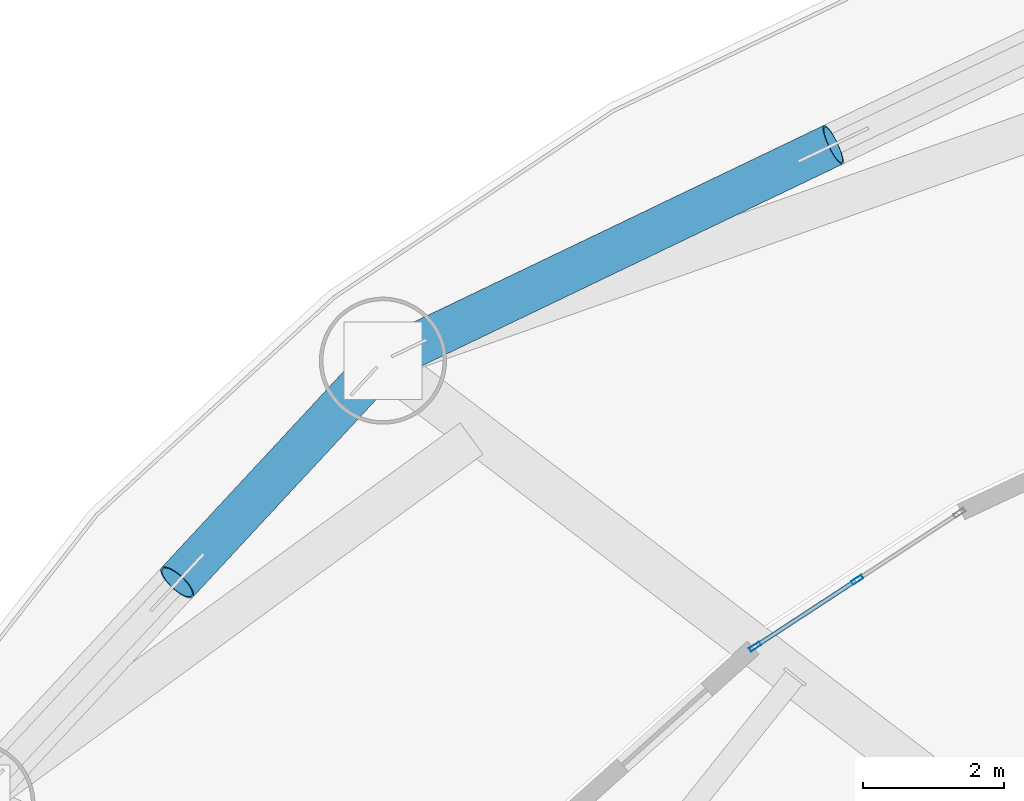
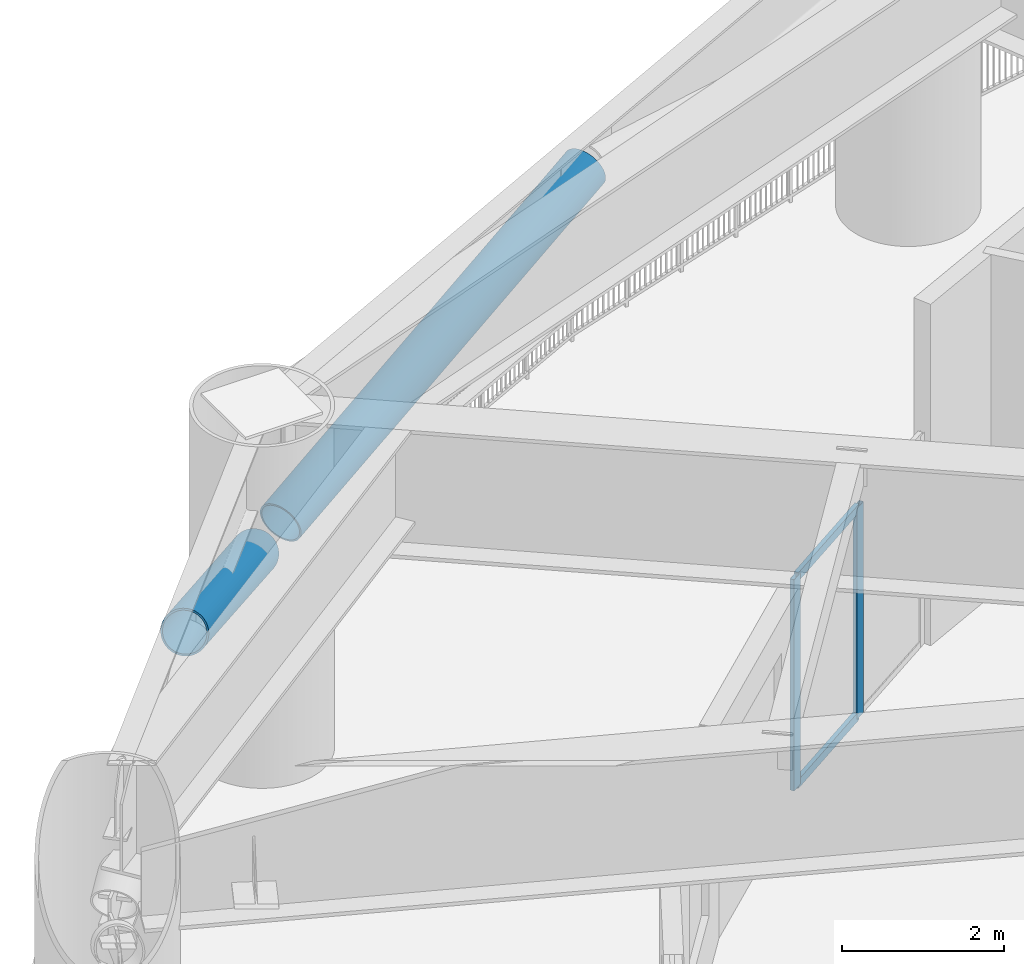
# One storey, part 10 of 39: 6 members, 1 element without a shape of its own.
"""IFC4 building model written with IfcOpenShell, lengths in metres."""

from ifc_helpers import new_model, si_unit, direction, frame, origin, origin_2d, place, context, subcontext, project, spatial, hollow_rectangle, hollow_circle, extrude, source, transform, mapped, material, layer, layer_set, material_profile, profile_set, type_object, element, aggregate, save


model = new_model("IFC4")

# Units and contexts
model_context = context("Model", 3, precision=1e-05, world=origin(), true_north=direction((0.0, 1.0)))
body_context = subcontext(model_context, "Body", "Model", "MODEL_VIEW")
ifc_project = project(units=[si_unit("LENGTHUNIT", "METRE"), si_unit("AREAUNIT", "SQUARE_METRE"), si_unit("VOLUMEUNIT", "CUBIC_METRE"), si_unit("PLANEANGLEUNIT", "RADIAN"), si_unit("MASSUNIT", "GRAM", prefix="KILO")], contexts=[model_context])

# Site, building, storey
site_placement = place(None, origin())
site = spatial("IfcSite", under=ifc_project, at=site_placement, CompositionType="ELEMENT")
building_placement = place(site_placement, origin())
building = spatial("IfcBuilding", under=site, at=building_placement, Name="Linh Dai School and Residence Tower", CompositionType="ELEMENT")
storey_placement = place(building_placement, frame((0.0, 0.0, 27.0)))
storey = spatial("IfcBuildingStorey", under=building, at=storey_placement, Name="L06", CompositionType="ELEMENT", Elevation=27.0)

# Members
ifc_material_1 = material(Name="Structural Steel S355JR", Category="steel")
ifc_material_profile_1 = material_profile(ifc_material_1, hollow_circle(Radius=0.304931640625, WallThickness=0.02490234375, at=origin_2d()), Name="CHS 610x25")
ifc_profile_set_1 = profile_set([ifc_material_profile_1], Name="Structural Steel S355JR")
member_type_1 = type_object("IfcMemberType", Name="MBR-BT1", PredefinedType="BRACE", material=ifc_profile_set_1)
member_1_placement = place(storey_placement, frame((13.6640625, 44.57763671875, 3.142578125), z_axis=(0.879480886263, 0.42169192852, 0.220656493489), x_axis=(-0.432348637717, 0.901706524022, 0.0)))
element("IfcMember", 1, at=member_1_placement, inside=storey, type_object=member_type_1, Name="L06 Ring Belt Truss BT1 Diagonal 06B", PredefinedType="BRACE", context=body_context, shape_type="SweptSolid", body=[
    extrude(hollow_circle(Radius=0.304931640625, WallThickness=0.02490234375, at=origin_2d()), origin(), (0.0, 0.0, 1.0), 6.8310546875),
])
member_2_placement = place(storey_placement, frame((13.027099609375, 44.1123046875, 3.197021484375), z_axis=(-0.637321110526, -0.686590030325, 0.349879882725), x_axis=(0.73291418611, -0.68032109757, 0.0)))
element("IfcMember", 2, at=member_2_placement, inside=storey, type_object=member_type_1, Name="L06 Ring Belt Truss BT1 Diagonal 07A", PredefinedType="BRACE", context=body_context, shape_type="SweptSolid", body=[
    extrude(hollow_circle(Radius=0.304931640625, WallThickness=0.02490234375, at=origin_2d()), origin(), (0.0, 0.0, 1.0), 4.152587890625),
])

# Curtain wall, members
ifc_material_2 = material(Name="Aluminium Anodised Curtain Wall", Category="aluminium")
ifc_layer = layer(ifc_material_2, 0.169921875)
ifc_layer_set = layer_set([ifc_layer], Name="Aluminium Anodised Curtain Wall")
curtain_wall_type = type_object("IfcCurtainWallType", Name="CW-SYS-2", PredefinedType="USERDEFINED", material=ifc_layer_set)
curtain_wall_placement = place(storey_placement, origin())
curtain_wall = element("IfcCurtainWall", 3, at=curtain_wall_placement, inside=storey, type_object=curtain_wall_type, Name="L06 CW2 Curtain Wall 15", ObjectType="UNITISED CURTAIN WALL", PredefinedType="USERDEFINED")
ifc_material_3 = material(Name="Aluminium Alloy 6063-T6", Category="aluminium")
ifc_material_profile_2 = material_profile(ifc_material_3, hollow_rectangle(XDim=0.06005859375, YDim=0.169921875, WallThickness=0.00390625, at=origin_2d()), Name="RHS 170x60x4")
ifc_profile_set_2 = profile_set([ifc_material_profile_2], Name="Aluminium Alloy 6063-T6")
member_type_2 = type_object("IfcMemberType", Name="CW-SYS-2-MUL", PredefinedType="MULLION", material=ifc_profile_set_2)
shared_shape_1 = source(origin(), body_context, "Body", "SweptSolid", [
    extrude(hollow_rectangle(XDim=0.06005859375, YDim=0.169921875, WallThickness=0.00390625, at=origin_2d()), origin(), (0.0, 0.0, 1.0), 3.18505859375),
])
member_3_placement = place(storey_placement, frame((18.56494140625, 40.352294921875, 0.0), z_axis=(0.0, 0.0, 1.0), x_axis=(-0.547530007395, 0.836786048523, 0.0)))
member_3 = element("IfcMember", 4, at=member_3_placement, type_object=member_type_2, Name="CW2 mullion 1", PredefinedType="MULLION", context=body_context, shape_type="MappedRepresentation", body=[
    mapped(shared_shape_1, transform((0.0, 0.0, 0.0), x_axis=(1.0, 0.0, 0.0), y_axis=(0.0, 1.0, 0.0), z_axis=(0.0, 0.0, 1.0), scale=1.0)),
])
member_4_placement = place(storey_placement, frame((20.01171875, 41.298828125, 0.0), z_axis=(0.0, 0.0, 1.0), x_axis=(-0.547530007395, 0.836786048523, 0.0)))
member_4 = element("IfcMember", 5, at=member_4_placement, type_object=member_type_2, Name="CW2 mullion 2", PredefinedType="MULLION", context=body_context, shape_type="MappedRepresentation", body=[
    mapped(shared_shape_1, transform((0.0, 0.0, 0.0), x_axis=(1.0, 0.0, 0.0), y_axis=(0.0, 1.0, 0.0), z_axis=(0.0, 0.0, 1.0), scale=1.0)),
])
ifc_material_profile_3 = material_profile(ifc_material_3, hollow_rectangle(XDim=0.06005859375, YDim=0.1298828125, WallThickness=0.00390625, at=origin_2d()), Name="RHS 130x60x4")
ifc_profile_set_3 = profile_set([ifc_material_profile_3], Name="Aluminium Alloy 6063-T6")
member_type_3 = type_object("IfcMemberType", Name="CW-SYS-2-TRN", PredefinedType="USERDEFINED", material=ifc_profile_set_3)
shared_shape_2 = source(origin(), body_context, "Body", "SweptSolid", [
    extrude(hollow_rectangle(XDim=0.06005859375, YDim=0.1298828125, WallThickness=0.00390625, at=origin_2d()), origin(), (0.0, 0.0, 1.0), 1.6689453125),
])
member_5_placement = place(storey_placement, frame((18.590087890625, 40.36865234375, 0.030029296875), z_axis=(0.836768543871, 0.547556758691, 0.0), x_axis=(-0.547556758691, 0.836768543871, 0.0)))
member_5 = element("IfcMember", 6, at=member_5_placement, type_object=member_type_3, Name="CW2 transom 1.1", ObjectType="TRANSOM", PredefinedType="USERDEFINED", context=body_context, shape_type="MappedRepresentation", body=[
    mapped(shared_shape_2, transform((0.0, 0.0, 0.0), x_axis=(1.0, 0.0, 0.0), y_axis=(0.0, 1.0, 0.0), z_axis=(0.0, 0.0, 1.0), scale=1.0)),
])
member_6_placement = place(storey_placement, frame((18.590087890625, 40.36865234375, 3.155029296875), z_axis=(0.836768543871, 0.547556758691, 0.0), x_axis=(-0.547556758691, 0.836768543871, 0.0)))
member_6 = element("IfcMember", 7, at=member_6_placement, type_object=member_type_3, Name="CW2 transom 1.2", ObjectType="TRANSOM", PredefinedType="USERDEFINED", context=body_context, shape_type="MappedRepresentation", body=[
    mapped(shared_shape_2, transform((0.0, 0.0, 0.0), x_axis=(1.0, 0.0, 0.0), y_axis=(0.0, 1.0, 0.0), z_axis=(0.0, 0.0, 1.0), scale=1.0)),
])
aggregate(curtain_wall, [member_3, member_4, member_5, member_6])

save(model, "model.ifc")
